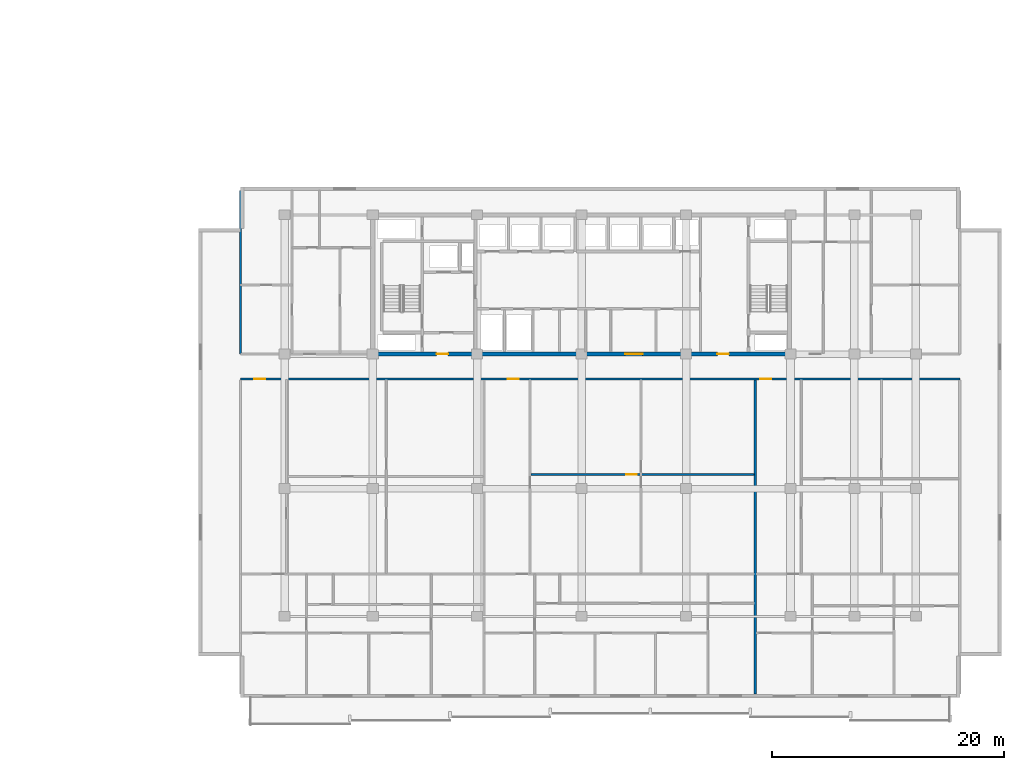
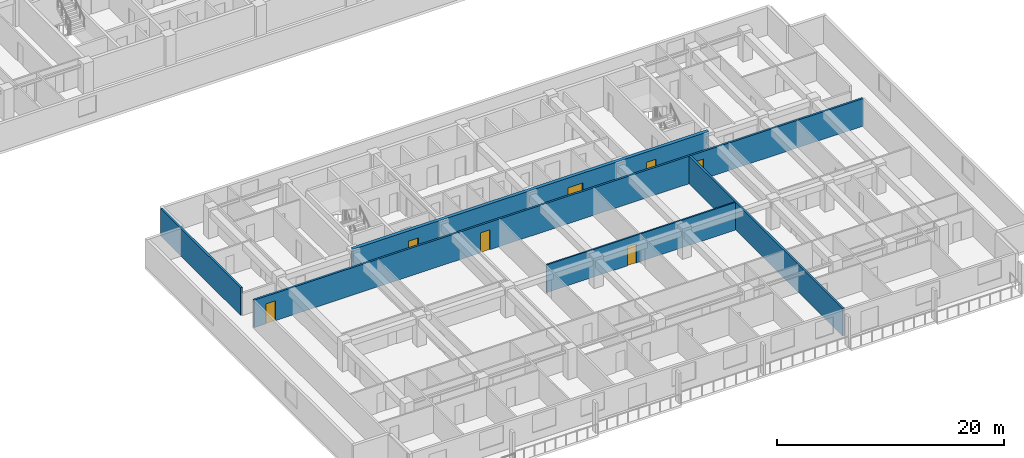
# One storey, part 5 of 23: 7 doors, 5 walls, 7 openings.
"""IFC4 building model written with IfcOpenShell, lengths in metres."""

import ifcopenshell
import ifcopenshell.guid

model = None  # the IFC model being written
_history = None  # IfcOwnerHistory: only IFC2X3 demands one
_inside = {}  # id of a spatial element -> (the spatial element, [elements in it])
_under = {}  # id of a project, library or spatial element -> (it, [spatial elements below it])
_declared = {}  # id of a project -> (the project, [libraries it declares])
_typed = {}  # id of a type object -> (the type object, [elements of that type])
_made_of = {}  # id of a material, layer set ... -> (it, [elements and type objects made of it])


def new_model(schema):
    """Start an empty IFC model of exactly this schema.

    Asked for "IFC4X3", IfcOpenShell would pick the latest addendum, in which some entities
    have other attributes; the version numbers below select the first issue.
    IFC2X3 requires an IfcOwnerHistory on every rooted entity: one is made here for all.
    """
    global model, _history
    if schema == "IFC4X3":
        model = ifcopenshell.file(schema_version=(4, 3, 0, 0))
    else:
        model = ifcopenshell.file(schema=schema)
    _inside.clear()
    _under.clear()
    _declared.clear()
    _typed.clear()
    _made_of.clear()
    _history = None
    if model.schema == "IFC2X3":
        org = make("IfcOrganization", Name="unknown")
        user = make(
            "IfcPersonAndOrganization",
            ThePerson=make("IfcPerson", FamilyName="unknown"),
            TheOrganization=org,
        )
        app = make(
            "IfcApplication",
            ApplicationDeveloper=org,
            Version="unknown",
            ApplicationFullName="unknown",
            ApplicationIdentifier="unknown",
        )
        _history = make(
            "IfcOwnerHistory",
            OwningUser=user,
            OwningApplication=app,
            ChangeAction="ADDED",
            CreationDate=0,
        )
    return model


def make(cls, **values):
    """One entity of the class cls with the attributes given. An attribute that is None is left unset."""
    return model.create_entity(
        cls, **{name: value for name, value in values.items() if value is not None}
    )


def rooted(cls, **values):
    """An entity with a GlobalId (a new one), such as an element, a storey or a relation."""
    return make(cls, GlobalId=ifcopenshell.guid.new(), OwnerHistory=_history, **values)


def si_unit(unit_type, name, prefix=None):
    """IfcSIUnit, for example si_unit("LENGTHUNIT", "METRE", prefix="MILLI")."""
    return make("IfcSIUnit", UnitType=unit_type, Prefix=prefix, Name=name)


def assignment(units):
    """IfcUnitAssignment: the units of a project."""
    return None if units is None else make("IfcUnitAssignment", Units=units)


def point(xyz):
    """IfcCartesianPoint."""
    return None if xyz is None else make("IfcCartesianPoint", Coordinates=xyz)


def direction(xyz):
    """IfcDirection."""
    return None if xyz is None else make("IfcDirection", DirectionRatios=xyz)


def frame(location, z_axis=None, x_axis=None):
    """IfcAxis2Placement3D, a coordinate frame: its origin and axes. An axis left out is left unset."""
    return make(
        "IfcAxis2Placement3D",
        Location=point(location),
        Axis=direction(z_axis),
        RefDirection=direction(x_axis),
    )


def frame_2d(location, x_axis=None):
    """IfcAxis2Placement2D, a coordinate frame in the plane: its origin and x axis."""
    return make(
        "IfcAxis2Placement2D", Location=point(location), RefDirection=direction(x_axis)
    )


def origin():
    """The frame at (0, 0, 0) with its axes left unset."""
    return frame((0.0, 0.0, 0.0))


def place(relative_to, where):
    """IfcLocalPlacement: puts the frame where relative to a parent placement (None: the world)."""
    return make(
        "IfcLocalPlacement", PlacementRelTo=relative_to, RelativePlacement=where
    )


def context(
    kind, dimensions, precision=None, world=None, true_north=None, identifier=None
):
    """IfcGeometricRepresentationContext, for example the 3D "Model" context."""
    return make(
        "IfcGeometricRepresentationContext",
        ContextIdentifier=identifier,
        ContextType=kind,
        CoordinateSpaceDimension=dimensions,
        Precision=precision,
        WorldCoordinateSystem=world,
        TrueNorth=true_north,
    )


def subcontext(parent, identifier, kind, view, scale=None):
    """IfcGeometricRepresentationSubContext, for example "Body" below "Model"."""
    return make(
        "IfcGeometricRepresentationSubContext",
        ContextIdentifier=identifier,
        ContextType=kind,
        ParentContext=parent,
        TargetScale=scale,
        TargetView=view,
    )


def project(units=None, contexts=None):
    """IfcProject with its units and contexts."""
    return rooted(
        "IfcProject",
        Name="project",
        RepresentationContexts=contexts,
        UnitsInContext=assignment(units),
    )


def spatial(cls, under=None, at=None, **own):
    """A site, building, storey or space (cls), placed at a placement, below another one or the project."""
    s = rooted(cls, ObjectPlacement=at, **own)
    if under is not None:
        _under.setdefault(under.id(), (under, []))[1].append(s)
    return s


def profile(cls, at=None, kind="AREA", **sizes):
    """A parametric profile (cls). Its sizes go by their IFC names, for example OverallWidth=200.0."""
    return make(cls, ProfileType=kind, Position=at, **sizes)


def rectangle(**sizes):
    """IfcRectangleProfileDef."""
    return profile("IfcRectangleProfileDef", **sizes)


def extrude(swept, where, along, depth):
    """IfcExtrudedAreaSolid: the profile swept, set in the frame where, extruded along a direction by depth."""
    return make(
        "IfcExtrudedAreaSolid",
        SweptArea=swept,
        Position=where,
        ExtrudedDirection=direction(along),
        Depth=depth,
    )


def shape(context_of_items, identifier, shape_type, items):
    """IfcShapeRepresentation: the items that make up one representation, for example the "Body"."""
    return make(
        "IfcShapeRepresentation",
        ContextOfItems=context_of_items,
        RepresentationIdentifier=identifier,
        RepresentationType=shape_type,
        Items=items,
    )


def material(Name=None, Category=None):
    """IfcMaterial."""
    return make("IfcMaterial", Name=Name, Category=Category)


def layer(
    of_material, thickness, ventilated=None, Name=None, Category=None, Priority=None
):
    """IfcMaterialLayer: one layer of a wall or slab, of a material (None: an air gap)."""
    return make(
        "IfcMaterialLayer",
        Material=of_material,
        LayerThickness=thickness,
        IsVentilated=ventilated,
        Name=Name,
        Category=Category,
        Priority=Priority,
    )


def layer_set(layers, Name=None):
    """IfcMaterialLayerSet."""
    return make("IfcMaterialLayerSet", MaterialLayers=layers, LayerSetName=Name)


def made_of(thing, what):
    """Note that an element or type object is made of a material, layer set ...; save() writes the relation."""
    if what is not None:
        _made_of.setdefault(what.id(), (what, []))[1].append(thing)
    return thing


def type_object(cls, material=None, **own):
    """A type object (cls), such as IfcWallType, which elements share."""
    return made_of(rooted(cls, **own), material)


def element(
    cls,
    number,
    at=None,
    inside=None,
    cuts=None,
    type_object=None,
    material=None,
    context=None,
    identifier="Body",
    shape_type=None,
    held_by="IfcProductDefinitionShape",
    body=None,
    shapes=None,
    **own,
):
    """One element of the class cls, such as IfcWall. Its Tag is "e" and its number.

    at: its placement. inside: the storey or other place that contains it. cuts: it is an
    opening in that element (IfcRelVoidsElement). A single representation is given by context,
    identifier, shape_type and body (its items); several are given by shapes. held_by: the class
    of the entity that holds the representations. save() writes the other relations.
    """
    e = rooted(cls, Tag="e%d" % number, ObjectPlacement=at, **own)
    if body is not None:
        shapes = [shape(context, identifier, shape_type, body)]
    if shapes is not None:
        e.Representation = make(held_by, Representations=shapes)
    if inside is not None:
        _inside.setdefault(inside.id(), (inside, []))[1].append(e)
    if cuts is not None:
        rooted(
            "IfcRelVoidsElement", RelatingBuildingElement=cuts, RelatedOpeningElement=e
        )
    if type_object is not None:
        _typed.setdefault(type_object.id(), (type_object, []))[1].append(e)
    return made_of(e, material)


def fill(opening, filler):
    """IfcRelFillsElement: the door or window that sits in an opening."""
    return rooted(
        "IfcRelFillsElement",
        RelatingOpeningElement=opening,
        RelatedBuildingElement=filler,
    )


def aggregate(whole, parts):
    """IfcRelAggregates: a whole, such as a stair, and the parts it consists of."""
    return rooted("IfcRelAggregates", RelatingObject=whole, RelatedObjects=parts)


def save(model, path):
    """Write the relations noted so far, then the file.

    IfcRelAggregates (storeys below a building ...), IfcRelContainedInSpatialStructure (elements
    in a storey), IfcRelDefinesByType, IfcRelAssociatesMaterial and IfcRelDeclares: one each for
    every whole, place, type object, material and project.
    """
    for whole, parts in _under.values():
        aggregate(whole, parts)
    for where, things in _inside.values():
        rooted(
            "IfcRelContainedInSpatialStructure",
            RelatedElements=things,
            RelatingStructure=where,
        )
    for kind, things in _typed.values():
        rooted("IfcRelDefinesByType", RelatedObjects=things, RelatingType=kind)
    for what, things in _made_of.values():
        rooted("IfcRelAssociatesMaterial", RelatedObjects=things, RelatingMaterial=what)
    for by, libraries in _declared.values():
        rooted("IfcRelDeclares", RelatingContext=by, RelatedDefinitions=libraries)
    model.write(path)


model = new_model("IFC4")

# Units and contexts
model_context = context("Model", 3, precision=1e-05, world=origin(), true_north=direction((0.0, 1.0)))
body_context = subcontext(model_context, "Body", "Model", "MODEL_VIEW")
ifc_project = project(units=[si_unit("LENGTHUNIT", "METRE"), si_unit("AREAUNIT", "SQUARE_METRE"), si_unit("VOLUMEUNIT", "CUBIC_METRE"), si_unit("PLANEANGLEUNIT", "RADIAN"), si_unit("MASSUNIT", "GRAM", prefix="KILO")], contexts=[model_context])

# Site, building, storey
site_placement = place(None, origin())
site = spatial("IfcSite", under=ifc_project, at=site_placement, CompositionType="ELEMENT")
building_placement = place(site_placement, origin())
building = spatial("IfcBuilding", under=site, at=building_placement, Name="Korimba Cascade Residences", CompositionType="ELEMENT")
storey_placement = place(building_placement, frame((0.0, 0.0, 56.5)))
storey = spatial("IfcBuildingStorey", under=building, at=storey_placement, Name="L15", CompositionType="ELEMENT", Elevation=56.5)

# Wall, openings, doors
ifc_material_1 = material(Name="Concrete C65/80", Category="concrete")
ifc_layer_1 = layer(ifc_material_1, 0.35009765625)
ifc_layer_set_1 = layer_set([ifc_layer_1], Name="Concrete C65/80")
wall_type_1 = type_object("IfcWallType", Name="WAL-CORE-350", PredefinedType="SHEAR", material=ifc_layer_set_1)
wall_1_placement = place(storey_placement, frame((81.925048828125, 18.39990234375, 0.0), z_axis=(0.0, 0.0, 1.0), x_axis=(1.0, 0.0, 0.0)))
wall_1 = element("IfcWall", 1, at=wall_1_placement, inside=storey, type_object=wall_type_1, Name="L15 Core Shear Wall CW-L15-T2-S", PredefinedType="SHEAR", context=body_context, shape_type="SweptSolid", body=[
    extrude(rectangle(XDim=36.264892578125, YDim=0.35009765625, at=frame_2d((18.13232421875, 0.0))), origin(), (0.0, 0.0, 1.0), 3.25),
])
opening_1_placement = place(wall_1_placement, frame((5.675048828125, 0.0, 0.0)))
opening_1 = element("IfcOpeningElement", 2, at=opening_1_placement, cuts=wall_1, Name="Opening D-FD5", PredefinedType="OPENING", context=body_context, shape_type="SweptSolid", body=[
    extrude(rectangle(XDim=1.0, YDim=2.14990234375, at=frame_2d((0.5, 1.074951171875))), frame((0.0, 0.18505859375, 0.0), z_axis=(0.0, -1.0, 0.0), x_axis=(1.0, 0.0, 0.0)), (0.0, 0.0, 1.0), 0.3701171875),
])
opening_2_placement = place(wall_1_placement, frame((21.925048828125, 0.0, 0.0)))
opening_2 = element("IfcOpeningElement", 3, at=opening_2_placement, cuts=wall_1, Name="Opening D-FD8", PredefinedType="OPENING", context=body_context, shape_type="SweptSolid", body=[
    extrude(rectangle(XDim=1.5, YDim=2.199951171875, at=frame_2d((0.75, 1.10009765625))), frame((0.0, 0.18505859375, 0.0), z_axis=(0.0, -1.0, 0.0), x_axis=(1.0, 0.0, 0.0)), (0.0, 0.0, 1.0), 0.3701171875),
])
opening_3_placement = place(wall_1_placement, frame((29.875, 0.0, 0.0)))
opening_3 = element("IfcOpeningElement", 4, at=opening_3_placement, cuts=wall_1, Name="Opening D-FD5", PredefinedType="OPENING", context=body_context, shape_type="SweptSolid", body=[
    extrude(rectangle(XDim=1.0, YDim=2.14990234375, at=frame_2d((0.5, 1.074951171875))), frame((0.0, 0.18505859375, 0.0), z_axis=(0.0, -1.0, 0.0), x_axis=(1.0, 0.0, 0.0)), (0.0, 0.0, 1.0), 0.3701171875),
])
ifc_material_2 = material(Name="Fire-Rated Acoustic Timber Vestibule Door", Category="wood")
door_type_1 = type_object("IfcDoorType", Name="DR-FD90-1000", OperationType="NOTDEFINED", PredefinedType="DOOR", material=ifc_material_2)
door_1_placement = place(opening_1_placement, origin())
door_1 = element("IfcDoor", 5, at=door_1_placement, inside=storey, type_object=door_type_1, Name="L15 T2 West Core Vestibule Fire Door", OperationType="SINGLE_SWING_LEFT", OverallHeight=2.14990234375, OverallWidth=1.0, PredefinedType="DOOR", context=body_context, shape_type="SweptSolid", body=[
    extrude(rectangle(XDim=1.0, YDim=2.14990234375, at=frame_2d((0.5, 1.074951171875))), frame((0.0, 0.02490234375, 0.0), z_axis=(0.0, -1.0, 0.0), x_axis=(1.0, 0.0, 0.0)), (0.0, 0.0, 1.0), 0.050048828125),
])
fill(opening_1, door_1)
door_2_placement = place(opening_3_placement, origin())
door_2 = element("IfcDoor", 6, at=door_2_placement, inside=storey, type_object=door_type_1, Name="L15 T2 East Stair Vestibule Fire Door", OperationType="SINGLE_SWING_RIGHT", OverallHeight=2.14990234375, OverallWidth=1.0, PredefinedType="DOOR", context=body_context, shape_type="SweptSolid", body=[
    extrude(rectangle(XDim=1.0, YDim=2.14990234375, at=frame_2d((0.5, 1.074951171875))), frame((0.0, 0.02490234375, 0.0), z_axis=(0.0, -1.0, 0.0), x_axis=(1.0, 0.0, 0.0)), (0.0, 0.0, 1.0), 0.050048828125),
])
fill(opening_3, door_2)
ifc_material_3 = material(Name="Fire-Rated Glazed Lift Lobby Double Door", Category="glass")
door_type_2 = type_object("IfcDoorType", Name="DR-FD90-1500", OperationType="NOTDEFINED", PredefinedType="DOOR", material=ifc_material_3)
door_3_placement = place(opening_2_placement, origin())
door_3 = element("IfcDoor", 7, at=door_3_placement, inside=storey, type_object=door_type_2, Name="L15 T2 Lift Lobby Fire Door", OperationType="DOUBLE_DOOR_SINGLE_SWING", OverallHeight=2.199951171875, OverallWidth=1.5, PredefinedType="DOOR", context=body_context, shape_type="SweptSolid", body=[
    extrude(rectangle(XDim=1.5, YDim=2.199951171875, at=frame_2d((0.75, 1.10009765625))), frame((0.0, 0.02490234375, 0.0), z_axis=(0.0, -1.0, 0.0), x_axis=(1.0, 0.0, 0.0)), (0.0, 0.0, 1.0), 0.050048828125),
])
fill(opening_2, door_3)

# Walls
ifc_material_4 = material(Name="Precast concrete C40/50", Category="concrete")
ifc_layer_2 = layer(ifc_material_4, 0.199951171875)
ifc_layer_set_2 = layer_set([ifc_layer_2], Name="Precast concrete C40/50")
wall_type_2 = type_object("IfcWallType", Name="WAL-IT-200", PredefinedType="PARTITIONING", material=ifc_layer_set_2)
wall_2_placement = place(storey_placement, frame((70.699951171875, 18.39990234375, 0.0), z_axis=(0.0, 0.0, 1.0), x_axis=(0.0, 1.0, 0.0)))
element("IfcWall", 8, at=wall_2_placement, inside=storey, type_object=wall_type_2, Name="L15 Partition Wall WAL-L15-T2-FW-WL", PredefinedType="PARTITIONING", context=body_context, shape_type="SweptSolid", body=[
    extrude(rectangle(XDim=14.10009765625, YDim=0.199951171875, at=frame_2d((7.050048828125, 0.0))), origin(), (0.0, 0.0, 1.0), 2.969970703125),
])
wall_3_placement = place(storey_placement, frame((115.055908203125, -10.89990234375, 0.0), z_axis=(0.0, 0.0, 1.0), x_axis=(0.0, 1.0, 0.0)))
element("IfcWall", 9, at=wall_3_placement, inside=storey, type_object=wall_type_2, Name="L15 Partition Wall WAL-L15-T2-DEM-2", PredefinedType="PARTITIONING", context=body_context, shape_type="SweptSolid", body=[
    extrude(rectangle(XDim=27.06982421875, YDim=0.199951171875, at=frame_2d((13.534912109375, 0.0))), origin(), (0.0, 0.0, 1.0), 2.969970703125),
])

# Wall, openings, doors
wall_4_placement = place(storey_placement, frame((70.699951171875, 16.25, 0.0), z_axis=(0.0, 0.0, 1.0), x_axis=(1.0, 0.0, 0.0)))
wall_4 = element("IfcWall", 10, at=wall_4_placement, inside=storey, type_object=wall_type_2, Name="L15 Partition Wall WAL-L15-T2-CORS", PredefinedType="PARTITIONING", context=body_context, shape_type="SweptSolid", body=[
    extrude(rectangle(XDim=62.0, YDim=0.199951171875, at=frame_2d((31.0, 0.0))), origin(), (0.0, 0.0, 1.0), 2.969970703125),
])
opening_4_placement = place(wall_4_placement, frame((1.18603515625, 0.0, 0.0)))
opening_4 = element("IfcOpeningElement", 11, at=opening_4_placement, cuts=wall_4, Name="Opening D-UN1", PredefinedType="OPENING", context=body_context, shape_type="SweptSolid", body=[
    extrude(rectangle(XDim=0.949951171875, YDim=2.14990234375, at=frame_2d((0.47509765625, 1.074951171875))), frame((0.0, 0.10986328125, 0.0), z_axis=(0.0, -1.0, 0.0), x_axis=(1.0, 0.0, 0.0)), (0.0, 0.0, 1.0), 0.219970703125),
])
opening_5_placement = place(wall_4_placement, frame((23.033447265625, 0.0, 0.0)))
opening_5 = element("IfcOpeningElement", 12, at=opening_5_placement, cuts=wall_4, Name="Opening D-UN1", PredefinedType="OPENING", context=body_context, shape_type="SweptSolid", body=[
    extrude(rectangle(XDim=0.949951171875, YDim=2.14990234375, at=frame_2d((0.47509765625, 1.074951171875))), frame((0.0, 0.10986328125, 0.0), z_axis=(0.0, -1.0, 0.0), x_axis=(1.0, 0.0, 0.0)), (0.0, 0.0, 1.0), 0.219970703125),
])
opening_6_placement = place(wall_4_placement, frame((44.773681640625, 0.0, 0.0)))
opening_6 = element("IfcOpeningElement", 13, at=opening_6_placement, cuts=wall_4, Name="Opening D-UN1", PredefinedType="OPENING", context=body_context, shape_type="SweptSolid", body=[
    extrude(rectangle(XDim=0.949951171875, YDim=2.14990234375, at=frame_2d((0.47509765625, 1.074951171875))), frame((0.0, 0.10986328125, 0.0), z_axis=(0.0, -1.0, 0.0), x_axis=(1.0, 0.0, 0.0)), (0.0, 0.0, 1.0), 0.219970703125),
])
ifc_material_5 = material(Name="Fire-Rated Hardwood Apartment Entrance Door", Category="wood")
door_type_3 = type_object("IfcDoorType", Name="DR-FD60-950", OperationType="NOTDEFINED", PredefinedType="DOOR", material=ifc_material_5)
door_4_placement = place(opening_4_placement, origin())
door_4 = element("IfcDoor", 14, at=door_4_placement, inside=storey, type_object=door_type_3, Name="Unit L15-T2-U01 Entrance Door", OperationType="SINGLE_SWING_RIGHT", OverallHeight=2.14990234375, OverallWidth=0.949951171875, PredefinedType="DOOR", context=body_context, shape_type="SweptSolid", body=[
    extrude(rectangle(XDim=0.949951171875, YDim=2.14990234375, at=frame_2d((0.47509765625, 1.074951171875))), frame((0.0, 0.02490234375, 0.0), z_axis=(0.0, -1.0, 0.0), x_axis=(1.0, 0.0, 0.0)), (0.0, 0.0, 1.0), 0.050048828125),
])
fill(opening_4, door_4)
door_5_placement = place(opening_5_placement, origin())
door_5 = element("IfcDoor", 15, at=door_5_placement, inside=storey, type_object=door_type_3, Name="Unit L15-T2-U02 Entrance Door", OperationType="SINGLE_SWING_LEFT", OverallHeight=2.14990234375, OverallWidth=0.949951171875, PredefinedType="DOOR", context=body_context, shape_type="SweptSolid", body=[
    extrude(rectangle(XDim=0.949951171875, YDim=2.14990234375, at=frame_2d((0.47509765625, 1.074951171875))), frame((0.0, 0.02490234375, 0.0), z_axis=(0.0, -1.0, 0.0), x_axis=(1.0, 0.0, 0.0)), (0.0, 0.0, 1.0), 0.050048828125),
])
fill(opening_5, door_5)
door_6_placement = place(opening_6_placement, origin())
door_6 = element("IfcDoor", 16, at=door_6_placement, inside=storey, type_object=door_type_3, Name="Unit L15-T2-U03 Entrance Door", OperationType="SINGLE_SWING_RIGHT", OverallHeight=2.14990234375, OverallWidth=0.949951171875, PredefinedType="DOOR", context=body_context, shape_type="SweptSolid", body=[
    extrude(rectangle(XDim=0.949951171875, YDim=2.14990234375, at=frame_2d((0.47509765625, 1.074951171875))), frame((0.0, 0.02490234375, 0.0), z_axis=(0.0, -1.0, 0.0), x_axis=(1.0, 0.0, 0.0)), (0.0, 0.0, 1.0), 0.050048828125),
])
fill(opening_6, door_6)

# Wall, opening, door
ifc_material_6 = material(Name="Insulated Acoustic Stud Partition", Category="gypsum")
ifc_layer_3 = layer(ifc_material_6, 0.14990234375)
ifc_layer_set_3 = layer_set([ifc_layer_3], Name="Insulated Acoustic Stud Partition")
wall_type_3 = type_object("IfcWallType", Name="WAL-PART-150", PredefinedType="PARTITIONING", material=ifc_layer_set_3)
wall_5_placement = place(storey_placement, frame((95.718505859375, 8.02001953125, 0.0), z_axis=(0.0, 0.0, 1.0), x_axis=(1.0, 0.0, 0.0)))
wall_5 = element("IfcWall", 17, at=wall_5_placement, inside=storey, type_object=wall_type_3, Name="L15 Partition Wall WAL-L15-T2-U02-FMH", PredefinedType="PARTITIONING", context=body_context, shape_type="SweptSolid", body=[
    extrude(rectangle(XDim=19.25732421875, YDim=0.14990234375, at=frame_2d((9.628662109375, 0.0))), origin(), (0.0, 0.0, 1.0), 2.969970703125),
])
opening_7_placement = place(wall_5_placement, frame((8.24755859375, 0.0, 0.0)))
opening_7 = element("IfcOpeningElement", 18, at=opening_7_placement, cuts=wall_5, Name="Opening D-IN2", PredefinedType="OPENING", context=body_context, shape_type="SweptSolid", body=[
    extrude(rectangle(XDim=0.8798828125, YDim=2.06005859375, at=frame_2d((0.43994140625, 1.030029296875))), frame((0.0, 0.0849609375, 0.0), z_axis=(0.0, -1.0, 0.0), x_axis=(1.0, 0.0, 0.0)), (0.0, 0.0, 1.0), 0.169921875),
])
ifc_material_7 = material(Name="Acoustic Timber Bedroom Door", Category="wood")
door_type_4 = type_object("IfcDoorType", Name="DR-INT-880", OperationType="NOTDEFINED", PredefinedType="DOOR", material=ifc_material_7)
door_7_placement = place(opening_7_placement, origin())
door_7 = element("IfcDoor", 19, at=door_7_placement, inside=storey, type_object=door_type_4, Name="L15-T2-U02 Library Salon Door", OperationType="SINGLE_SWING_LEFT", OverallHeight=2.06005859375, OverallWidth=0.8798828125, PredefinedType="DOOR", context=body_context, shape_type="SweptSolid", body=[
    extrude(rectangle(XDim=0.8798828125, YDim=2.06005859375, at=frame_2d((0.43994140625, 1.030029296875))), frame((0.0, 0.02490234375, 0.0), z_axis=(0.0, -1.0, 0.0), x_axis=(1.0, 0.0, 0.0)), (0.0, 0.0, 1.0), 0.050048828125),
])
fill(opening_7, door_7)

save(model, "model.ifc")
